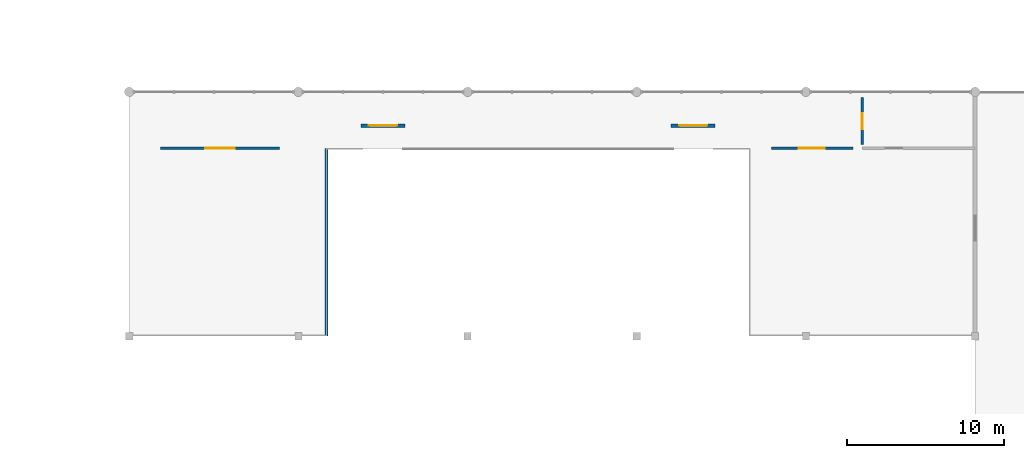
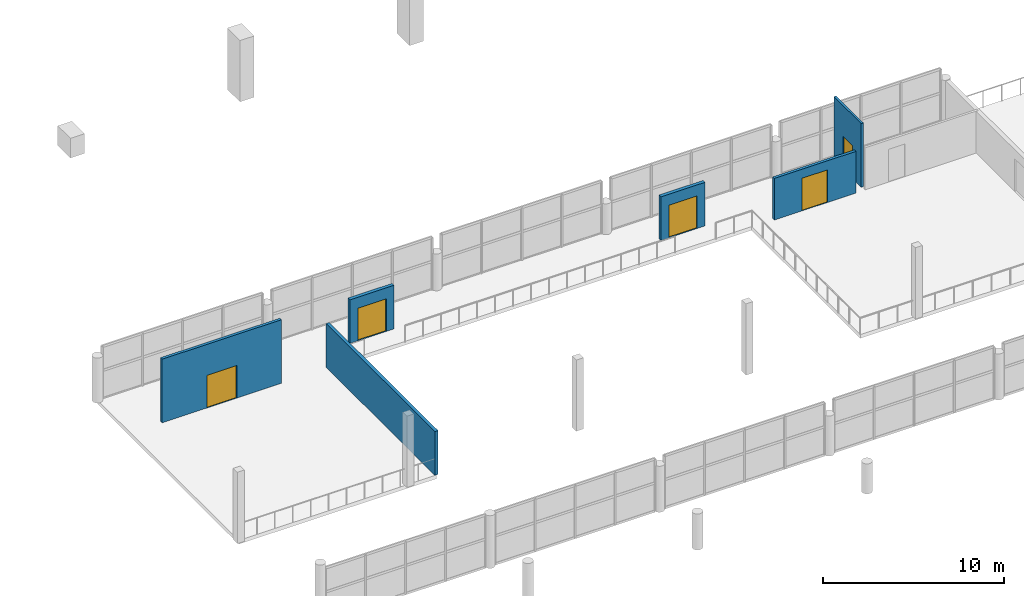
# One storey, part 50 of 74: 6 walls, 5 doors, 5 openings.
"""IFC4 building model written with IfcOpenShell, lengths in metres."""

from ifc_helpers import new_model, si_unit, direction, frame, frame_2d, origin, place, context, subcontext, project, spatial, rectangle, extrude, material, layer, layer_set, type_object, element, fill, save


model = new_model("IFC4")

# Units and contexts
model_context = context("Model", 3, precision=1e-05, world=origin(), true_north=direction((0.0, 1.0)))
body_context = subcontext(model_context, "Body", "Model", "MODEL_VIEW")
ifc_project = project(units=[si_unit("LENGTHUNIT", "METRE"), si_unit("AREAUNIT", "SQUARE_METRE"), si_unit("VOLUMEUNIT", "CUBIC_METRE"), si_unit("PLANEANGLEUNIT", "RADIAN"), si_unit("MASSUNIT", "GRAM", prefix="KILO")], contexts=[model_context])

# Site, building, storey
site_placement = place(None, origin())
site = spatial("IfcSite", under=ifc_project, at=site_placement, CompositionType="ELEMENT")
building_placement = place(site_placement, origin())
building = spatial("IfcBuilding", under=site, at=building_placement, Name="Suirenkawa Promenade Aquatics Centre", CompositionType="ELEMENT")
storey_placement = place(building_placement, frame((0.0, 0.0, 4.800048828125)))
storey = spatial("IfcBuildingStorey", under=building, at=storey_placement, Name="L01", CompositionType="ELEMENT", Elevation=4.800048828125)

# Wall
ifc_material_1 = material(Name="Autoclaved aerated concrete blockwork Grade 1", Category="masonry")
ifc_layer_1 = layer(ifc_material_1, 0.199951171875, Name="Autoclaved aerated concrete blockwork Grade 1", Category="masonry")
ifc_layer_set_1 = layer_set([ifc_layer_1], Name="Autoclaved aerated concrete blockwork Grade 1")
wall_type_1 = type_object("IfcWallType", Name="WT-COMP-200", PredefinedType="PARTITIONING", material=ifc_layer_set_1)
wall_1_placement = place(storey_placement, frame((91.800048828125, 13.199951171875, 0.0), z_axis=(0.0, 0.0, 1.0), x_axis=(0.0, 1.0, 0.0)))
element("IfcWall", 1, at=wall_1_placement, inside=storey, type_object=wall_type_1, Name="Interior wall WL-PRT-01 W-7356", PredefinedType="PARTITIONING", context=body_context, shape_type="SweptSolid", body=[
    extrude(rectangle(XDim=12.0, YDim=0.199951171875, at=frame_2d((6.0, 0.0))), origin(), (0.0, 0.0, 1.0), 2.954833984375),
])

# Wall, opening, door
ifc_layer_2 = layer(ifc_material_1, 0.179931640625, Name="Autoclaved aerated concrete blockwork Grade 1", Category="masonry")
ifc_layer_set_2 = layer_set([ifc_layer_2], Name="Autoclaved aerated concrete blockwork Grade 1")
wall_type_2 = type_object("IfcWallType", Name="WT-FIRE-180", PredefinedType="PARTITIONING", material=ifc_layer_set_2)
wall_2_placement = place(storey_placement, frame((81.199951171875, 25.199951171875, 0.0), z_axis=(0.0, 0.0, 1.0), x_axis=(1.0, 0.0, 0.0)))
wall_2 = element("IfcWall", 2, at=wall_2_placement, inside=storey, type_object=wall_type_2, Name="Interior wall WL-PRT-02 W-7177", PredefinedType="PARTITIONING", context=body_context, shape_type="SweptSolid", body=[
    extrude(rectangle(XDim=7.60009765625, YDim=0.179931640625, at=frame_2d((3.800048828125, 0.0))), origin(), (0.0, 0.0, 1.0), 4.284912109375),
])
opening_1_placement = place(wall_2_placement, frame((2.85009765625, 0.0, 0.0)))
opening_1 = element("IfcOpeningElement", 3, at=opening_1_placement, cuts=wall_2, Name="Opening DR-FD60", PredefinedType="OPENING", context=body_context, shape_type="SweptSolid", body=[
    extrude(rectangle(XDim=1.89990234375, YDim=2.199951171875, at=frame_2d((0.949951171875, 1.10009765625))), frame((0.0, 0.099853515625, 0.0), z_axis=(0.0, -1.0, 0.0), x_axis=(1.0, 0.0, 0.0)), (0.0, 0.0, 1.0), 0.199951171875),
])
ifc_material_2 = material(Name="Engineered maple acoustic sports timber", Category="wood")
door_type_1 = type_object("IfcDoorType", Name="DT-FD60-1900x2200", OperationType="DOUBLE_DOOR_SINGLE_SWING", PredefinedType="DOOR", material=ifc_material_2)
door_1_placement = place(opening_1_placement, origin())
door_1 = element("IfcDoor", 4, at=door_1_placement, inside=storey, type_object=door_type_1, Name="Interior door DR-FD60 DR-INT-0114", OperationType="DOUBLE_DOOR_SINGLE_SWING", OverallHeight=2.199951171875, OverallWidth=1.89990234375, PredefinedType="DOOR", context=body_context, shape_type="SweptSolid", body=[
    extrude(rectangle(XDim=1.89990234375, YDim=2.199951171875, at=frame_2d((0.949951171875, 1.10009765625))), frame((0.0, 0.02490234375, 0.0), z_axis=(0.0, -1.0, 0.0), x_axis=(1.0, 0.0, 0.0)), (0.0, 0.0, 1.0), 0.050048828125),
])
fill(opening_1, door_1)

wall_3_placement = place(storey_placement, frame((120.199951171875, 25.199951171875, 0.0), z_axis=(0.0, 0.0, 1.0), x_axis=(1.0, 0.0, 0.0)))
wall_3 = element("IfcWall", 5, at=wall_3_placement, inside=storey, type_object=wall_type_2, Name="Interior wall WL-PRT-02 W-7178", PredefinedType="PARTITIONING", context=body_context, shape_type="SweptSolid", body=[
    extrude(rectangle(XDim=5.199951171875, YDim=0.179931640625, at=frame_2d((2.60009765625, 0.0))), origin(), (0.0, 0.0, 1.0), 2.81005859375),
])
opening_2_placement = place(wall_3_placement, frame((1.75, 0.0, 0.0)))
opening_2 = element("IfcOpeningElement", 6, at=opening_2_placement, cuts=wall_3, Name="Opening ID-05", PredefinedType="OPENING", context=body_context, shape_type="SweptSolid", body=[
    extrude(rectangle(XDim=1.64990234375, YDim=2.199951171875, at=frame_2d((0.824951171875, 1.10009765625))), frame((0.0, 0.099853515625, 0.0), z_axis=(0.0, -1.0, 0.0), x_axis=(1.0, 0.0, 0.0)), (0.0, 0.0, 1.0), 0.199951171875),
])
door_type_2 = type_object("IfcDoorType", Name="DT-FD60-1650x2200", OperationType="DOUBLE_DOOR_SINGLE_SWING", PredefinedType="DOOR", material=ifc_material_2)
door_2_placement = place(opening_2_placement, origin())
door_2 = element("IfcDoor", 7, at=door_2_placement, inside=storey, type_object=door_type_2, Name="Interior door ID-05 DR-INT-0115", OperationType="DOUBLE_DOOR_SINGLE_SWING", OverallHeight=2.199951171875, OverallWidth=1.64990234375, PredefinedType="DOOR", context=body_context, shape_type="SweptSolid", body=[
    extrude(rectangle(XDim=1.64990234375, YDim=2.199951171875, at=frame_2d((0.824951171875, 1.10009765625))), frame((0.0, 0.02490234375, 0.0), z_axis=(0.0, -1.0, 0.0), x_axis=(1.0, 0.0, 0.0)), (0.0, 0.0, 1.0), 0.050048828125),
])
fill(opening_2, door_2)

ifc_material_3 = material(Name="Concrete M35", Category="concrete")
ifc_layer_3 = layer(ifc_material_3, 0.219970703125, Name="Concrete M35", Category="concrete")
ifc_layer_set_3 = layer_set([ifc_layer_3], Name="Concrete M35")
wall_type_3 = type_object("IfcWallType", Name="WT-LOBBY-220", PredefinedType="PARTITIONING", material=ifc_layer_set_3)
wall_4_placement = place(storey_placement, frame((94.0, 26.64990234375, 0.0), z_axis=(0.0, 0.0, 1.0), x_axis=(1.0, 0.0, 0.0)))
wall_4 = element("IfcWall", 8, at=wall_4_placement, inside=storey, type_object=wall_type_3, Name="Interior wall WL-LOB-01 W-7402", PredefinedType="PARTITIONING", context=body_context, shape_type="SweptSolid", body=[
    extrude(rectangle(XDim=2.800048828125, YDim=0.219970703125, at=frame_2d((1.39990234375, 0.0))), origin(), (0.0, 0.0, 1.0), 2.93505859375),
])
opening_3_placement = place(wall_4_placement, frame((0.5, 0.0, 0.0)))
opening_3 = element("IfcOpeningElement", 9, at=opening_3_placement, cuts=wall_4, Name="Opening ID-02", PredefinedType="OPENING", context=body_context, shape_type="SweptSolid", body=[
    extrude(rectangle(XDim=1.800048828125, YDim=2.199951171875, at=frame_2d((0.89990234375, 1.10009765625))), frame((0.0, 0.119873046875, 0.0), z_axis=(0.0, -1.0, 0.0), x_axis=(1.0, 0.0, 0.0)), (0.0, 0.0, 1.0), 0.239990234375),
])
ifc_material_4 = material(Name="Steel IS 2062 E350 (Grade 350)", Category="steel")
door_type_3 = type_object("IfcDoorType", Name="DT-FD120-1800x2200", OperationType="DOUBLE_DOOR_SINGLE_SWING", PredefinedType="DOOR", material=ifc_material_4)
door_3_placement = place(opening_3_placement, origin())
door_3 = element("IfcDoor", 10, at=door_3_placement, inside=storey, type_object=door_type_3, Name="Interior door ID-02 DR-INT-0238", OperationType="DOUBLE_DOOR_SINGLE_SWING", OverallHeight=2.199951171875, OverallWidth=1.800048828125, PredefinedType="DOOR", context=body_context, shape_type="SweptSolid", body=[
    extrude(rectangle(XDim=1.800048828125, YDim=2.199951171875, at=frame_2d((0.89990234375, 1.10009765625))), frame((0.0, 0.02490234375, 0.0), z_axis=(0.0, -1.0, 0.0), x_axis=(1.0, 0.0, 0.0)), (0.0, 0.0, 1.0), 0.050048828125),
])
fill(opening_3, door_3)

wall_5_placement = place(storey_placement, frame((113.800048828125, 26.64990234375, 0.0), z_axis=(0.0, 0.0, 1.0), x_axis=(1.0, 0.0, 0.0)))
wall_5 = element("IfcWall", 11, at=wall_5_placement, inside=storey, type_object=wall_type_3, Name="Interior wall WL-LOB-01 W-7403", PredefinedType="PARTITIONING", context=body_context, shape_type="SweptSolid", body=[
    extrude(rectangle(XDim=2.800048828125, YDim=0.219970703125, at=frame_2d((1.39990234375, 0.0))), origin(), (0.0, 0.0, 1.0), 2.93505859375),
])
opening_4_placement = place(wall_5_placement, frame((0.5, 0.0, 0.0)))
opening_4 = element("IfcOpeningElement", 12, at=opening_4_placement, cuts=wall_5, Name="Opening ID-02", PredefinedType="OPENING", context=body_context, shape_type="SweptSolid", body=[
    extrude(rectangle(XDim=1.800048828125, YDim=2.199951171875, at=frame_2d((0.89990234375, 1.10009765625))), frame((0.0, 0.119873046875, 0.0), z_axis=(0.0, -1.0, 0.0), x_axis=(1.0, 0.0, 0.0)), (0.0, 0.0, 1.0), 0.239990234375),
])
door_4_placement = place(opening_4_placement, origin())
door_4 = element("IfcDoor", 13, at=door_4_placement, inside=storey, type_object=door_type_3, Name="Interior door ID-02 DR-INT-0239", OperationType="DOUBLE_DOOR_SINGLE_SWING", OverallHeight=2.199951171875, OverallWidth=1.800048828125, PredefinedType="DOOR", context=body_context, shape_type="SweptSolid", body=[
    extrude(rectangle(XDim=1.800048828125, YDim=2.199951171875, at=frame_2d((0.89990234375, 1.10009765625))), frame((0.0, 0.02490234375, 0.0), z_axis=(0.0, -1.0, 0.0), x_axis=(1.0, 0.0, 0.0)), (0.0, 0.0, 1.0), 0.050048828125),
])
fill(opening_4, door_4)

ifc_material_5 = material(Name="Moisture-resistant acoustic gypsum board")
ifc_layer_4 = layer(ifc_material_5, 0.139892578125, Name="Moisture-resistant acoustic gypsum board")
ifc_layer_set_4 = layer_set([ifc_layer_4], Name="Moisture-resistant acoustic gypsum board")
wall_type_4 = type_object("IfcWallType", Name="WT-STD-140", PredefinedType="PARTITIONING", material=ifc_layer_set_4)
wall_6_placement = place(storey_placement, frame((126.0, 25.449951171875, 0.0), z_axis=(0.0, 0.0, 1.0), x_axis=(0.0, 1.0, 0.0)))
wall_6 = element("IfcWall", 14, at=wall_6_placement, inside=storey, type_object=wall_type_4, Name="Interior wall WL-PRT-04 W-7179", PredefinedType="PARTITIONING", context=body_context, shape_type="SweptSolid", body=[
    extrude(rectangle(XDim=3.0, YDim=0.139892578125, at=frame_2d((1.5, 0.0))), origin(), (0.0, 0.0, 1.0), 4.284912109375),
])
opening_5_placement = place(wall_6_placement, frame((0.949951171875, 0.0, 0.0)))
opening_5 = element("IfcOpeningElement", 15, at=opening_5_placement, cuts=wall_6, Name="Opening ID-08", PredefinedType="OPENING", context=body_context, shape_type="SweptSolid", body=[
    extrude(rectangle(XDim=1.050048828125, YDim=2.199951171875, at=frame_2d((0.52490234375, 1.10009765625))), frame((0.0, 0.079833984375, 0.0), z_axis=(0.0, -1.0, 0.0), x_axis=(1.0, 0.0, 0.0)), (0.0, 0.0, 1.0), 0.159912109375),
])
ifc_material_6 = material(Name="Anodised aluminium 6063-T6", Category="aluminium")
door_type_4 = type_object("IfcDoorType", Name="DT-ACC-1050x2200", OperationType="NOTDEFINED", PredefinedType="DOOR", material=ifc_material_6)
door_5_placement = place(opening_5_placement, origin())
door_5 = element("IfcDoor", 16, at=door_5_placement, inside=storey, type_object=door_type_4, Name="Interior door ID-08 DR-INT-0116", OperationType="SINGLE_SWING_RIGHT", OverallHeight=2.199951171875, OverallWidth=1.050048828125, PredefinedType="DOOR", context=body_context, shape_type="SweptSolid", body=[
    extrude(rectangle(XDim=1.050048828125, YDim=2.199951171875, at=frame_2d((0.52490234375, 1.10009765625))), frame((0.0, 0.02490234375, 0.0), z_axis=(0.0, -1.0, 0.0), x_axis=(1.0, 0.0, 0.0)), (0.0, 0.0, 1.0), 0.050048828125),
])
fill(opening_5, door_5)

save(model, "model.ifc")
